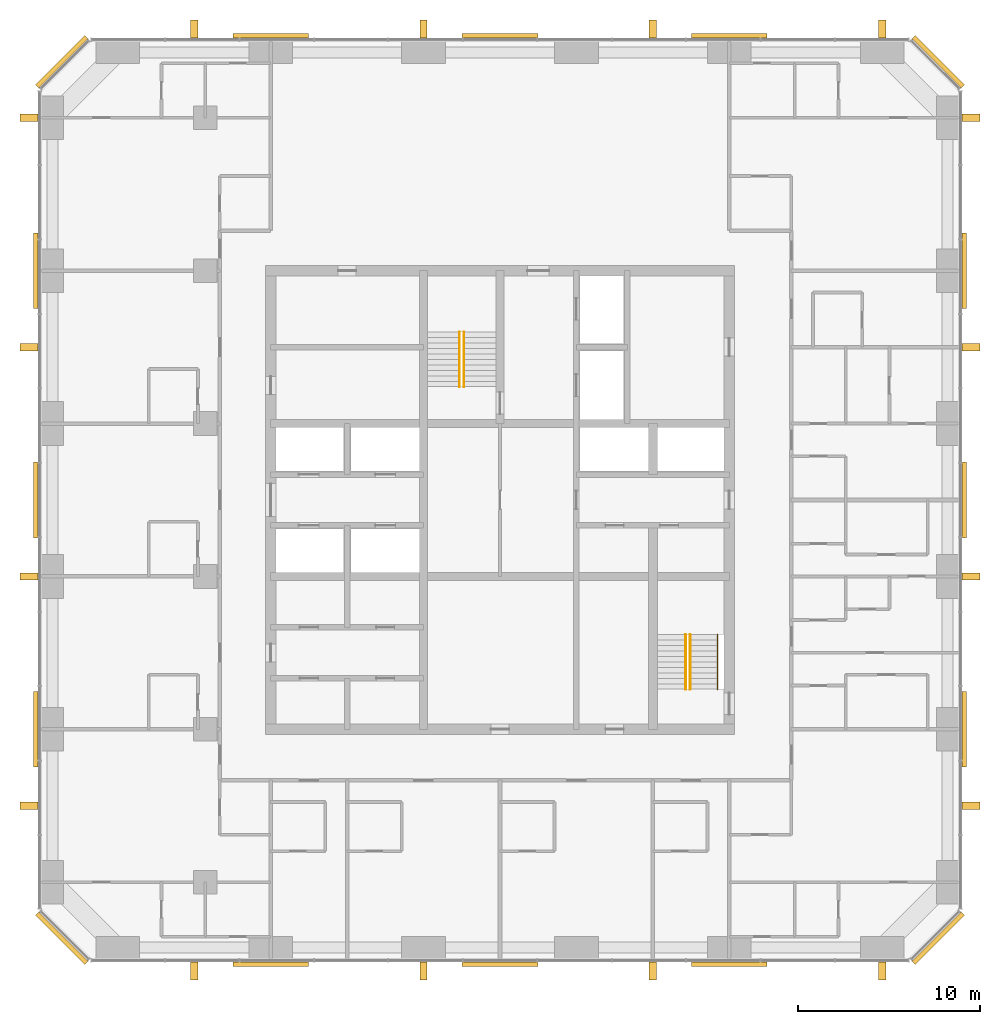
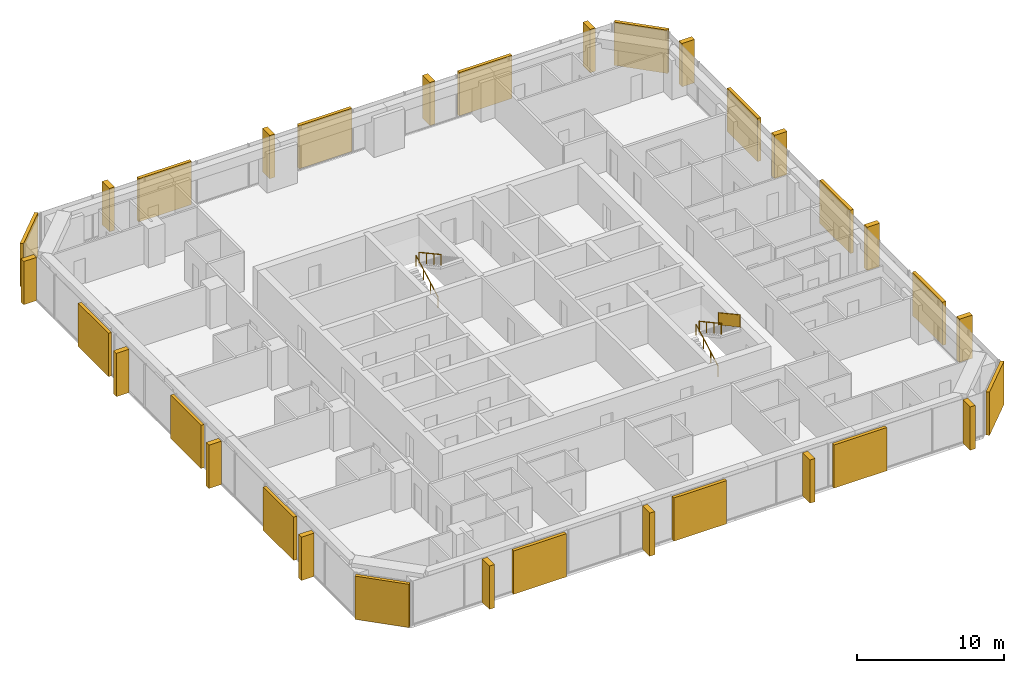
# One storey, part 13 of 13: 16 coverings, 16 shading devices, 5 railings.
"""IFC4 building model written with IfcOpenShell, lengths in metres."""

from ifc_helpers import new_model, si_unit, direction, frame, origin, origin_2d, place, context, subcontext, project, spatial, polyline, rectangle, circle, outline, extrude, material, layer, layer_set, type_object, element, save


model = new_model("IFC4")

# Units and contexts
model_context = context("Model", 3, precision=1e-05, world=origin(), true_north=direction((0.0, 1.0)))
body_context = subcontext(model_context, "Body", "Model", "MODEL_VIEW")
ifc_project = project(units=[si_unit("LENGTHUNIT", "METRE"), si_unit("AREAUNIT", "SQUARE_METRE"), si_unit("VOLUMEUNIT", "CUBIC_METRE"), si_unit("PLANEANGLEUNIT", "RADIAN"), si_unit("MASSUNIT", "GRAM", prefix="KILO")], contexts=[model_context])

# Site, building, storey
site_placement = place(None, origin())
site = spatial("IfcSite", under=ifc_project, at=site_placement, CompositionType="ELEMENT")
building_placement = place(site_placement, origin())
building = spatial("IfcBuilding", under=site, at=building_placement, Name="Dunama Terrace Hotel", CompositionType="ELEMENT")
storey_placement = place(building_placement, frame((0.0, 0.0, 195.0)))
storey = spatial("IfcBuildingStorey", under=building, at=storey_placement, Name="L50", CompositionType="ELEMENT", Elevation=195.0)

# Railings
ifc_material_1 = material(Name="Stainless steel and laminated glass guard", Category="steel")
railing_type_1 = type_object("IfcRailingType", Name="Guard 1100", PredefinedType="GUARDRAIL", material=ifc_material_1)
railing_1_placement = place(storey_placement, frame((41.35009765625, 22.0, 1.963623046875)))
element("IfcRailing", 1, at=railing_1_placement, inside=storey, type_object=railing_type_1, Name="Stair guard ST2 L50", PredefinedType="GUARDRAIL", context=body_context, shape_type="SweptSolid", body=[
    extrude(circle(Radius=0.02392578125, at=origin_2d()), frame((0.0, 0.0, 1.076171875), z_axis=(0.0, -0.877881921179, 0.478877158013), x_axis=(1.0, 0.0, 0.0)), (0.0, 0.0, 1.0), 3.417236328125),
    extrude(circle(Radius=0.02099609375, at=origin_2d()), origin(), (0.0, 0.0, 1.0), 1.052001953125),
    extrude(circle(Radius=0.02099609375, at=origin_2d()), frame((0.0, -1.0, 0.54541015625)), (0.0, 0.0, 1.0), 1.052001953125),
    extrude(circle(Radius=0.02099609375, at=origin_2d()), frame((0.0, -2.0, 1.091064453125)), (0.0, 0.0, 1.0), 1.052001953125),
    extrude(circle(Radius=0.02099609375, at=origin_2d()), frame((0.0, -3.0, 1.636474609375)), (0.0, 0.0, 1.0), 1.052001953125),
    extrude(outline(polyline([(0.0048828125, 0.052734375), (0.9951171875, 0.5927734375), (0.9951171875, 1.618896484375), (0.0048828125, 1.07861328125), (0.0048828125, 0.052734375)])), frame((0.0087890625, 0.0, 0.0), z_axis=(-1.0, 0.0, 0.0), x_axis=(0.0, -1.0, 0.0)), (0.0, 0.0, 1.0), 0.017578125),
    extrude(outline(polyline([(0.0048828125, 0.052734375), (0.9951171875, 0.5927734375), (0.9951171875, 1.618896484375), (0.0048828125, 1.07861328125), (0.0048828125, 0.052734375)])), frame((0.0087890625, -1.0, 0.54541015625), z_axis=(-1.0, 0.0, 0.0), x_axis=(0.0, -1.0, 0.0)), (0.0, 0.0, 1.0), 0.017578125),
    extrude(outline(polyline([(0.0048828125, 0.052734375), (0.9951171875, 0.5927734375), (0.9951171875, 1.618896484375), (0.0048828125, 1.07861328125), (0.0048828125, 0.052734375)])), frame((0.0087890625, -2.0, 1.091064453125), z_axis=(-1.0, 0.0, 0.0), x_axis=(0.0, -1.0, 0.0)), (0.0, 0.0, 1.0), 0.017578125),
])
ifc_material_2 = material(Name="Stainless steel handrail", Category="steel")
railing_type_2 = type_object("IfcRailingType", Name="Stair handrail 900", PredefinedType="HANDRAIL", material=ifc_material_2)
railing_2_placement = place(storey_placement, frame((27.175048828125, 35.625, 0.16357421875)))
element("IfcRailing", 2, at=railing_2_placement, inside=storey, type_object=railing_type_2, Name="Handrail ST1 L50", PredefinedType="HANDRAIL", context=body_context, shape_type="SweptSolid", body=[
    extrude(circle(Radius=0.02392578125, at=origin_2d()), frame((0.0, 0.0, 0.8759765625), z_axis=(0.0, 0.877881921179, 0.478877158013), x_axis=(-1.0, 0.0, 0.0)), (0.0, 0.0, 1.0), 3.417236328125),
    extrude(circle(Radius=0.02099609375, at=origin_2d()), origin(), (0.0, 0.0, 1.0), 0.851806640625),
    extrude(circle(Radius=0.02099609375, at=origin_2d()), frame((0.0, 1.0, 0.54541015625)), (0.0, 0.0, 1.0), 0.851806640625),
    extrude(circle(Radius=0.02099609375, at=origin_2d()), frame((0.0, 2.0, 1.091064453125)), (0.0, 0.0, 1.0), 0.851806640625),
    extrude(circle(Radius=0.02099609375, at=origin_2d()), frame((0.0, 3.0, 1.636474609375)), (0.0, 0.0, 1.0), 0.851806640625),
])
railing_3_placement = place(storey_placement, frame((27.425048828125, 38.625, 1.963623046875)))
element("IfcRailing", 3, at=railing_3_placement, inside=storey, type_object=railing_type_2, Name="Handrail ST1 L50", PredefinedType="HANDRAIL", context=body_context, shape_type="SweptSolid", body=[
    extrude(circle(Radius=0.02392578125, at=origin_2d()), frame((0.0, 0.0, 0.8759765625), z_axis=(0.0, -0.877881921179, 0.478877158013), x_axis=(1.0, 0.0, 0.0)), (0.0, 0.0, 1.0), 3.417236328125),
    extrude(circle(Radius=0.02099609375, at=origin_2d()), origin(), (0.0, 0.0, 1.0), 0.851806640625),
    extrude(circle(Radius=0.02099609375, at=origin_2d()), frame((0.0, -1.0, 0.54541015625)), (0.0, 0.0, 1.0), 0.851806640625),
    extrude(circle(Radius=0.02099609375, at=origin_2d()), frame((0.0, -2.0, 1.091064453125)), (0.0, 0.0, 1.0), 0.851806640625),
    extrude(circle(Radius=0.02099609375, at=origin_2d()), frame((0.0, -3.0, 1.636474609375)), (0.0, 0.0, 1.0), 0.851806640625),
])
railing_4_placement = place(storey_placement, frame((39.60009765625, 19.0, 0.16357421875)))
element("IfcRailing", 4, at=railing_4_placement, inside=storey, type_object=railing_type_2, Name="Handrail ST2 L50", PredefinedType="HANDRAIL", context=body_context, shape_type="SweptSolid", body=[
    extrude(circle(Radius=0.02392578125, at=origin_2d()), frame((0.0, 0.0, 0.8759765625), z_axis=(0.0, 0.877881921179, 0.478877158013), x_axis=(-1.0, 0.0, 0.0)), (0.0, 0.0, 1.0), 3.417236328125),
    extrude(circle(Radius=0.02099609375, at=origin_2d()), origin(), (0.0, 0.0, 1.0), 0.851806640625),
    extrude(circle(Radius=0.02099609375, at=origin_2d()), frame((0.0, 1.0, 0.54541015625)), (0.0, 0.0, 1.0), 0.851806640625),
    extrude(circle(Radius=0.02099609375, at=origin_2d()), frame((0.0, 2.0, 1.091064453125)), (0.0, 0.0, 1.0), 0.851806640625),
    extrude(circle(Radius=0.02099609375, at=origin_2d()), frame((0.0, 3.0, 1.636474609375)), (0.0, 0.0, 1.0), 0.851806640625),
])
railing_5_placement = place(storey_placement, frame((39.85009765625, 22.0, 1.963623046875)))
element("IfcRailing", 5, at=railing_5_placement, inside=storey, type_object=railing_type_2, Name="Handrail ST2 L50", PredefinedType="HANDRAIL", context=body_context, shape_type="SweptSolid", body=[
    extrude(circle(Radius=0.02392578125, at=origin_2d()), frame((0.0, 0.0, 0.8759765625), z_axis=(0.0, -0.877881921179, 0.478877158013), x_axis=(1.0, 0.0, 0.0)), (0.0, 0.0, 1.0), 3.417236328125),
    extrude(circle(Radius=0.02099609375, at=origin_2d()), origin(), (0.0, 0.0, 1.0), 0.851806640625),
    extrude(circle(Radius=0.02099609375, at=origin_2d()), frame((0.0, -1.0, 0.54541015625)), (0.0, 0.0, 1.0), 0.851806640625),
    extrude(circle(Radius=0.02099609375, at=origin_2d()), frame((0.0, -2.0, 1.091064453125)), (0.0, 0.0, 1.0), 0.851806640625),
    extrude(circle(Radius=0.02099609375, at=origin_2d()), frame((0.0, -3.0, 1.636474609375)), (0.0, 0.0, 1.0), 0.851806640625),
])

# Coverings
ifc_material_3 = material(Name="Warm reconstituted stone panel", Category="masonry")
ifc_layer_1 = layer(ifc_material_3, 0.25)
ifc_layer_set_1 = layer_set([ifc_layer_1], Name="Stone diagonal panel")
covering_type = type_object("IfcCoveringType", Name="Stone diagonal panel", PredefinedType="CLADDING", material=ifc_layer_set_1)
for number, where, z_axis, x_axis, name in (
    (6, (16.800048828125, 3.876953125, 0.001953125), (0.0, 0.0, 1.0), (1.0, 0.0, 0.0), "Stone diagonal panel L50"),
    (7, (29.39990234375, 3.876953125, 0.001953125), (0.0, 0.0, 1.0), (1.0, 0.0, 0.0), "Stone diagonal panel L50"),
    (8, (42.0, 3.876953125, 0.001953125), (0.0, 0.0, 1.0), (1.0, 0.0, 0.0), "Stone diagonal panel L50"),
):
    element("IfcCovering", number, at=place(storey_placement, frame(where, z_axis=z_axis, x_axis=x_axis)), inside=storey, type_object=covering_type, Name=name, PredefinedType="CLADDING", context=body_context, shape_type="SweptSolid", body=[
        extrude(rectangle(XDim=4.14990234375, YDim=0.25, at=origin_2d()), origin(), (0.0, 0.0, 1.0), 3.595947265625),
    ])
covering_1_placement = place(storey_placement, frame((53.47900390625, 5.321044921875, 0.001953125), z_axis=(0.0, 0.0, 1.0), x_axis=(0.707106781187, 0.707106781187, 0.0)))
element("IfcCovering", 9, at=covering_1_placement, inside=storey, type_object=covering_type, Name="Stone diagonal panel L50", PredefinedType="CLADDING", context=body_context, shape_type="SweptSolid", body=[
    extrude(rectangle(XDim=3.808349609375, YDim=0.25, at=origin_2d()), origin(), (0.0, 0.0, 1.0), 3.595947265625),
])
for number, where, z_axis, x_axis, name in (
    (10, (54.923095703125, 16.800048828125, 0.001953125), (0.0, 0.0, 1.0), (0.0, 1.0, 0.0), "Stone diagonal panel L50"),
    (11, (54.923095703125, 29.39990234375, 0.001953125), (0.0, 0.0, 1.0), (0.0, 1.0, 0.0), "Stone diagonal panel L50"),
    (12, (54.923095703125, 42.0, 0.001953125), (0.0, 0.0, 1.0), (0.0, 1.0, 0.0), "Stone diagonal panel L50"),
):
    element("IfcCovering", number, at=place(storey_placement, frame(where, z_axis=z_axis, x_axis=x_axis)), inside=storey, type_object=covering_type, Name=name, PredefinedType="CLADDING", context=body_context, shape_type="SweptSolid", body=[
        extrude(rectangle(XDim=4.14990234375, YDim=0.25, at=origin_2d()), origin(), (0.0, 0.0, 1.0), 3.595947265625),
    ])
covering_2_placement = place(storey_placement, frame((53.47900390625, 53.47900390625, 0.001953125), z_axis=(0.0, 0.0, 1.0), x_axis=(-0.707106781187, 0.707106781187, 0.0)))
element("IfcCovering", 13, at=covering_2_placement, inside=storey, type_object=covering_type, Name="Stone diagonal panel L50", PredefinedType="CLADDING", context=body_context, shape_type="SweptSolid", body=[
    extrude(rectangle(XDim=3.808349609375, YDim=0.25, at=origin_2d()), origin(), (0.0, 0.0, 1.0), 3.595947265625),
])
for number, where, z_axis, x_axis, name in (
    (14, (42.0, 54.923095703125, 0.001953125), (0.0, 0.0, 1.0), (-1.0, 0.0, 0.0), "Stone diagonal panel L50"),
    (15, (29.39990234375, 54.923095703125, 0.001953125), (0.0, 0.0, 1.0), (-1.0, 0.0, 0.0), "Stone diagonal panel L50"),
    (16, (16.800048828125, 54.923095703125, 0.001953125), (0.0, 0.0, 1.0), (-1.0, 0.0, 0.0), "Stone diagonal panel L50"),
):
    element("IfcCovering", number, at=place(storey_placement, frame(where, z_axis=z_axis, x_axis=x_axis)), inside=storey, type_object=covering_type, Name=name, PredefinedType="CLADDING", context=body_context, shape_type="SweptSolid", body=[
        extrude(rectangle(XDim=4.14990234375, YDim=0.25, at=origin_2d()), origin(), (0.0, 0.0, 1.0), 3.595947265625),
    ])
covering_3_placement = place(storey_placement, frame((5.321044921875, 53.47900390625, 0.001953125), z_axis=(0.0, 0.0, 1.0), x_axis=(-0.707106781187, -0.707106781187, 0.0)))
element("IfcCovering", 17, at=covering_3_placement, inside=storey, type_object=covering_type, Name="Stone diagonal panel L50", PredefinedType="CLADDING", context=body_context, shape_type="SweptSolid", body=[
    extrude(rectangle(XDim=3.808349609375, YDim=0.25, at=origin_2d()), origin(), (0.0, 0.0, 1.0), 3.595947265625),
])
for number, where, z_axis, x_axis, name in (
    (18, (3.876953125, 42.0, 0.001953125), (0.0, 0.0, 1.0), (0.0, -1.0, 0.0), "Stone diagonal panel L50"),
    (19, (3.876953125, 29.39990234375, 0.001953125), (0.0, 0.0, 1.0), (0.0, -1.0, 0.0), "Stone diagonal panel L50"),
    (20, (3.876953125, 16.800048828125, 0.001953125), (0.0, 0.0, 1.0), (0.0, -1.0, 0.0), "Stone diagonal panel L50"),
):
    element("IfcCovering", number, at=place(storey_placement, frame(where, z_axis=z_axis, x_axis=x_axis)), inside=storey, type_object=covering_type, Name=name, PredefinedType="CLADDING", context=body_context, shape_type="SweptSolid", body=[
        extrude(rectangle(XDim=4.14990234375, YDim=0.25, at=origin_2d()), origin(), (0.0, 0.0, 1.0), 3.595947265625),
    ])
covering_4_placement = place(storey_placement, frame((5.321044921875, 5.321044921875, 0.001953125), z_axis=(0.0, 0.0, 1.0), x_axis=(0.707106781187, -0.707106781187, 0.0)))
element("IfcCovering", 21, at=covering_4_placement, inside=storey, type_object=covering_type, Name="Stone diagonal panel L50", PredefinedType="CLADDING", context=body_context, shape_type="SweptSolid", body=[
    extrude(rectangle(XDim=3.808349609375, YDim=0.25, at=origin_2d()), origin(), (0.0, 0.0, 1.0), 3.595947265625),
])

# Shading devices
ifc_material_4 = material(Name="Warm reconstituted stone fin", Category="masonry")
ifc_layer_2 = layer(ifc_material_4, 0.39990234375)
ifc_layer_set_2 = layer_set([ifc_layer_2], Name="Warm stone fin 400x1000")
shading_device_type = type_object("IfcShadingDeviceType", Name="Warm stone fin 400x1000", PredefinedType="USERDEFINED", material=ifc_layer_set_2)
for number, where, z_axis, x_axis, name in (
    (22, (12.60009765625, 3.52197265625, 0.0), (0.0, 0.0, 1.0), (1.0, 0.0, 0.0), "Stone fin"),
    (23, (25.199951171875, 3.52197265625, 0.0), (0.0, 0.0, 1.0), (1.0, 0.0, 0.0), "Stone fin"),
    (24, (37.800048828125, 3.52197265625, 0.0), (0.0, 0.0, 1.0), (1.0, 0.0, 0.0), "Stone fin"),
    (25, (50.39990234375, 3.52197265625, 0.0), (0.0, 0.0, 1.0), (1.0, 0.0, 0.0), "Stone fin"),
    (26, (55.278076171875, 12.60009765625, 0.0), (0.0, 0.0, 1.0), (0.0, 1.0, 0.0), "Stone fin"),
    (27, (55.278076171875, 25.199951171875, 0.0), (0.0, 0.0, 1.0), (0.0, 1.0, 0.0), "Stone fin"),
    (28, (55.278076171875, 37.800048828125, 0.0), (0.0, 0.0, 1.0), (0.0, 1.0, 0.0), "Stone fin"),
    (29, (55.278076171875, 50.39990234375, 0.0), (0.0, 0.0, 1.0), (0.0, 1.0, 0.0), "Stone fin"),
    (30, (50.39990234375, 55.278076171875, 0.0), (0.0, 0.0, 1.0), (-1.0, 0.0, 0.0), "Stone fin"),
    (31, (37.800048828125, 55.278076171875, 0.0), (0.0, 0.0, 1.0), (-1.0, 0.0, 0.0), "Stone fin"),
    (32, (25.199951171875, 55.278076171875, 0.0), (0.0, 0.0, 1.0), (-1.0, 0.0, 0.0), "Stone fin"),
    (33, (12.60009765625, 55.278076171875, 0.0), (0.0, 0.0, 1.0), (-1.0, 0.0, 0.0), "Stone fin"),
    (34, (3.52197265625, 50.39990234375, 0.0), (0.0, 0.0, 1.0), (0.0, -1.0, 0.0), "Stone fin"),
    (35, (3.52197265625, 37.800048828125, 0.0), (0.0, 0.0, 1.0), (0.0, -1.0, 0.0), "Stone fin"),
    (36, (3.52197265625, 25.199951171875, 0.0), (0.0, 0.0, 1.0), (0.0, -1.0, 0.0), "Stone fin"),
    (37, (3.52197265625, 12.60009765625, 0.0), (0.0, 0.0, 1.0), (0.0, -1.0, 0.0), "Stone fin"),
):
    element("IfcShadingDevice", number, at=place(storey_placement, frame(where, z_axis=z_axis, x_axis=x_axis)), inside=storey, type_object=shading_device_type, Name=name, ObjectType="FIN", PredefinedType="USERDEFINED", context=body_context, shape_type="SweptSolid", body=[
        extrude(rectangle(XDim=0.39990234375, YDim=1.0, at=origin_2d()), origin(), (0.0, 0.0, 1.0), 3.60009765625),
    ])

save(model, "model.ifc")
